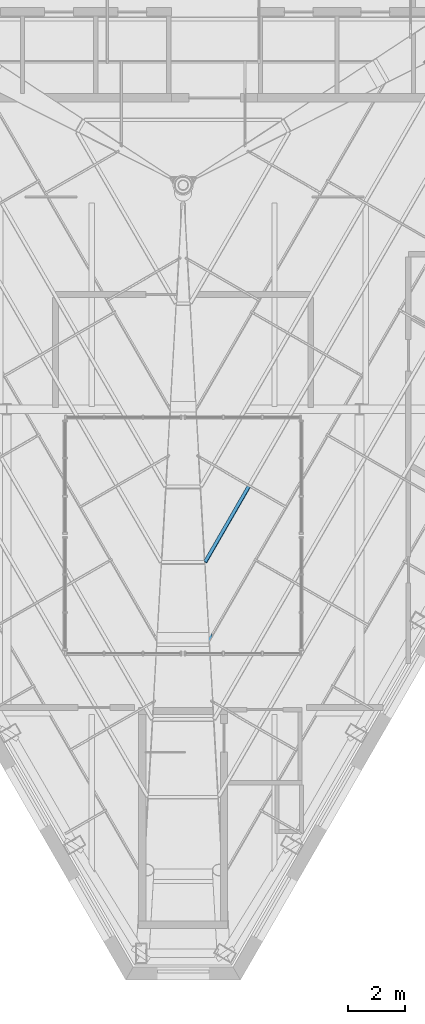
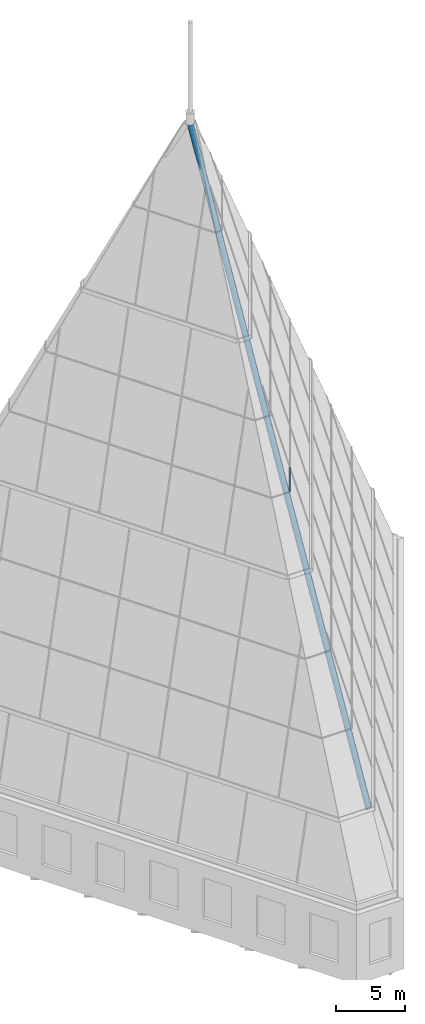
# One storey, part 7 of 36: 2 members, 2 elements without a shape of their own.
"""IFC4 building model written with IfcOpenShell, lengths in metres."""

from ifc_helpers import new_model, si_unit, direction, frame, origin, origin_2d, place, context, subcontext, project, spatial, rectangle, hollow_circle, extrude, clip, halfspace, material, layer, layer_set, material_profile, profile_set, type_object, element, aggregate, save


model = new_model("IFC4")

# Units and contexts
model_context = context("Model", 3, precision=1e-05, world=origin(), true_north=direction((0.0, 1.0)))
body_context = subcontext(model_context, "Body", "Model", "MODEL_VIEW")
ifc_project = project(units=[si_unit("LENGTHUNIT", "METRE"), si_unit("AREAUNIT", "SQUARE_METRE"), si_unit("VOLUMEUNIT", "CUBIC_METRE"), si_unit("PLANEANGLEUNIT", "RADIAN"), si_unit("MASSUNIT", "GRAM", prefix="KILO")], contexts=[model_context])

# Site, building, storey
site_placement = place(None, origin())
site = spatial("IfcSite", under=ifc_project, at=site_placement, CompositionType="ELEMENT")
building_placement = place(site_placement, origin())
building = spatial("IfcBuilding", under=site, at=building_placement, Name="Njiva Tower", CompositionType="ELEMENT")
storey_placement = place(building_placement, frame((0.0, 0.0, 337.8)))
storey = spatial("IfcBuildingStorey", under=building, at=storey_placement, Name="L77", CompositionType="ELEMENT", Elevation=337.8)

# Curtain wall, member
ifc_material_1 = material(Name="Glazed curtain wall", Category="glass")
ifc_layer = layer(ifc_material_1, 0.16)
ifc_layer_set = layer_set([ifc_layer], Name="Glazed curtain wall")
curtain_wall_type = type_object("IfcCurtainWallType", Name="CW2 Crown glazing, faceted point, long faces", PredefinedType="NOTDEFINED", material=ifc_layer_set)
curtain_wall_1_placement = place(storey_placement, origin())
curtain_wall_1 = element("IfcCurtainWall", 1, at=curtain_wall_1_placement, inside=storey, type_object=curtain_wall_type, Name="Crown glazing face SE tier 2", PredefinedType="NOTDEFINED")
ifc_material_2 = material(Name="Steel S355 J2H", Category="steel")
ifc_material_profile_1 = material_profile(ifc_material_2, hollow_circle(Radius=0.2285, WallThickness=0.016, at=origin_2d()), Name="CHS 457x16")
ifc_profile_set_1 = profile_set([ifc_material_profile_1], Name="Steel S355 J2H")
member_type_1 = type_object("IfcMemberType", Name="CW2-H Crown glazing hip CHS 457x16", PredefinedType="USERDEFINED", material=ifc_profile_set_1)
member_1_placement = place(storey_placement, frame((1.2455, -19.2673, 11.9871), z_axis=(-0.025674564099, 0.449238396678, 0.893042932735), x_axis=(-0.998370853569, -0.057058204873, 0.0)))
member_1 = element("IfcMember", 2, at=member_1_placement, type_object=member_type_1, Name="Crown glazing hip", ObjectType="HIP", PredefinedType="USERDEFINED", context=body_context, shape_type="Clipping", body=[
    clip(extrude(hollow_circle(Radius=0.2285, WallThickness=0.016, at=origin_2d()), origin(), (0.0, 0.0, 1.0), 52.6513), halfspace(frame((0.0236, 0.0388, 52.6318), z_axis=(-0.476990796962, -0.784902835577, 0.395483651137), x_axis=(0.0, 0.449971466086, 0.893042932735)), False)),
])
aggregate(curtain_wall_1, [member_1])

curtain_wall_2_placement = place(storey_placement, origin())
curtain_wall_2 = element("IfcCurtainWall", 3, at=curtain_wall_2_placement, inside=storey, type_object=curtain_wall_type, Name="Crown glazing face SE tier 3", PredefinedType="NOTDEFINED")
ifc_material_3 = material(Name="Aluminium transom", Category="aluminium")
ifc_material_profile_2 = material_profile(ifc_material_3, rectangle(XDim=0.12, YDim=0.06, at=origin_2d()), Name="RECT 120x60")
ifc_profile_set_2 = profile_set([ifc_material_profile_2], Name="Aluminium transom")
member_type_2 = type_object("IfcMemberType", Name="CW2-T Crown glazing transom 120x60", PredefinedType="USERDEFINED", material=ifc_profile_set_2)
member_2_placement = place(storey_placement, frame((0.7676, -8.5368, 33.8869), z_axis=(0.499989459123, 0.866031489477, 0.0), x_axis=(0.834728512598, -0.481917184998, 0.266428483949)))
member_2 = element("IfcMember", 4, at=member_2_placement, type_object=member_type_2, Name="CW2-53 transom 1.1", ObjectType="TRANSOM", PredefinedType="USERDEFINED", context=body_context, shape_type="Clipping", body=[
    clip(extrude(rectangle(XDim=0.12, YDim=0.06, at=origin_2d()), origin(), (0.0, 0.0, 1.0), 3.0475), halfspace(frame((0.06, 0.0, 0.0), z_axis=(-1.0869773e-05, -0.376217978813, -0.926531182584), x_axis=(0.0, -0.926531182638, 0.376217978835)), False)),
])
aggregate(curtain_wall_2, [member_2])

save(model, "model.ifc")
